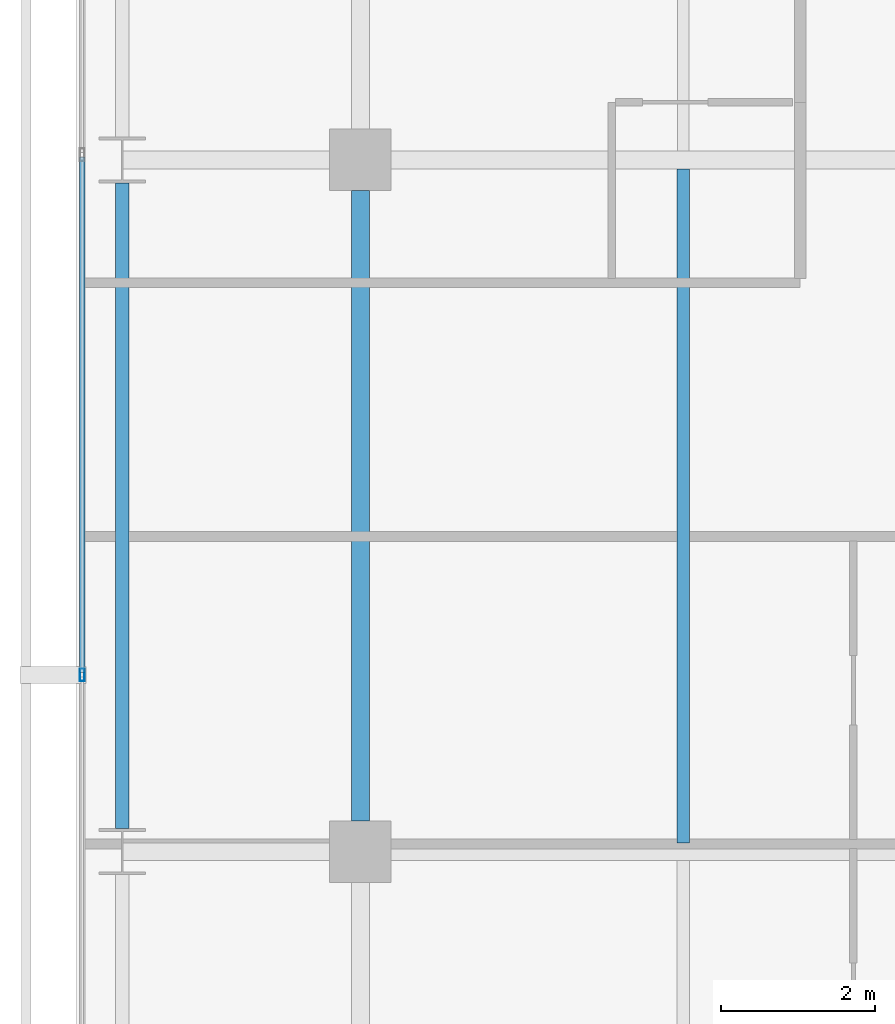
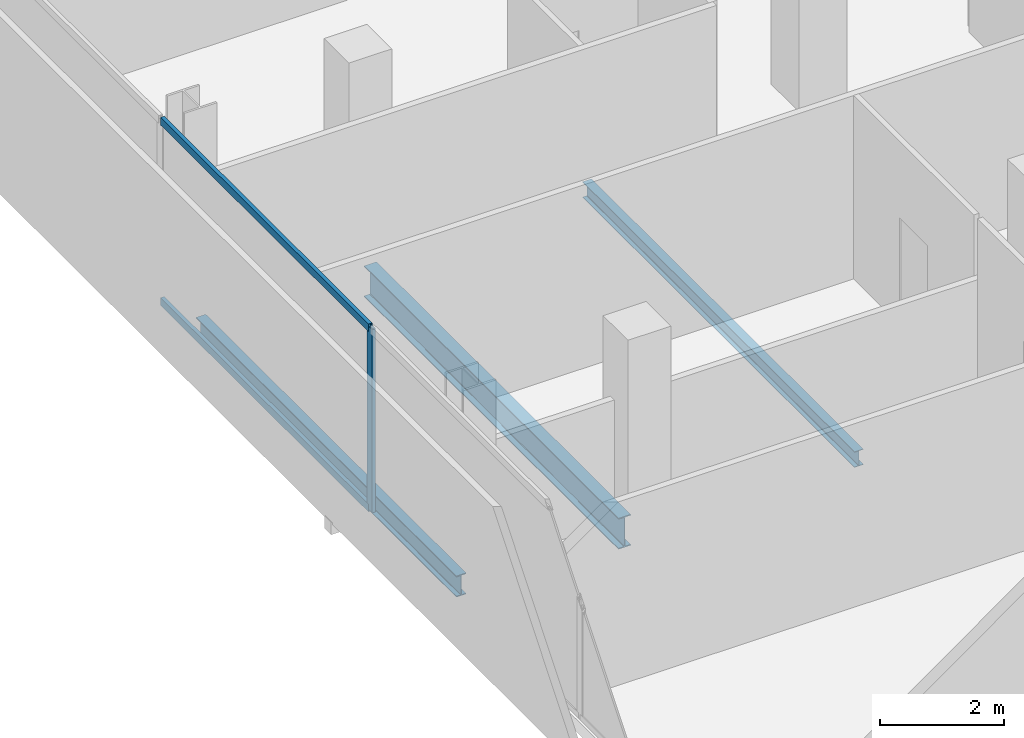
# One storey, part 10 of 34: 3 beams, 3 members, 1 element without a shape of its own.
"""IFC4 building model written with IfcOpenShell, lengths in metres."""

from ifc_helpers import new_model, si_unit, direction, frame, origin, origin_2d, place, context, subcontext, project, spatial, hollow_rectangle, i_section, extrude, material, layer, layer_set, material_profile, profile_set, type_object, element, aggregate, save


model = new_model("IFC4")

# Units and contexts
model_context = context("Model", 3, precision=1e-05, world=origin(), true_north=direction((0.0, 1.0)))
body_context = subcontext(model_context, "Body", "Model", "MODEL_VIEW")
ifc_project = project(units=[si_unit("LENGTHUNIT", "METRE"), si_unit("AREAUNIT", "SQUARE_METRE"), si_unit("VOLUMEUNIT", "CUBIC_METRE"), si_unit("PLANEANGLEUNIT", "RADIAN"), si_unit("MASSUNIT", "GRAM", prefix="KILO")], contexts=[model_context])

# Site, building, storey
site_placement = place(None, origin())
site = spatial("IfcSite", under=ifc_project, at=site_placement, CompositionType="ELEMENT")
building_placement = place(site_placement, origin())
building = spatial("IfcBuilding", under=site, at=building_placement, Name="Maruvema Waterfront Hotel and Observation Tower", CompositionType="ELEMENT")
storey_placement = place(building_placement, frame((0.0, 0.0, 135.10009765625)))
storey = spatial("IfcBuildingStorey", under=building, at=storey_placement, Name="L32", CompositionType="ELEMENT", Elevation=135.10009765625)

# Curtain wall, members
ifc_material_1 = material(Name="Anodised bronze aluminium and solar-control low-E IGU", Category="aluminium")
ifc_layer = layer(ifc_material_1, 0.159912109375, Name="Zone 2 Amber Inner Thermal Curtain Wall System CW-03")
ifc_layer_set = layer_set([ifc_layer], Name="Anodised bronze aluminium and solar-control low-E IGU")
curtain_wall_type = type_object("IfcCurtainWallType", Name="Zone 2 Amber Inner Thermal Curtain Wall System CW-03", PredefinedType="USERDEFINED", material=ifc_layer_set)
curtain_wall_placement = place(storey_placement, origin())
curtain_wall = element("IfcCurtainWall", 1, at=curtain_wall_placement, inside=storey, type_object=curtain_wall_type, Name="L32 Curtain Wall CW-L32-W", ObjectType="UNITISED CURTAIN WALL", PredefinedType="USERDEFINED")
ifc_material_2 = material(Name="Anodised architectural bronze aluminium", Category="aluminium")
ifc_material_profile_1 = material_profile(ifc_material_2, hollow_rectangle(XDim=0.070068359375, YDim=0.14990234375, WallThickness=0.00390625, at=origin_2d()), Name="ALU-T70x150")
ifc_profile_set_1 = profile_set([ifc_material_profile_1], Name="Anodised architectural bronze aluminium")
member_type_1 = type_object("IfcMemberType", Name="Curtain Wall Horizontal Transom ALU-T70x150", PredefinedType="USERDEFINED", material=ifc_profile_set_1)
member_1_placement = place(storey_placement, frame((13.179931640625, 36.03662109375, 0.02978515625), z_axis=(0.0, -1.0, 0.0), x_axis=(1.0, 0.0, 0.0)))
member_1 = element("IfcMember", 2, at=member_1_placement, type_object=member_type_1, Name="CW-03 transom 3.1", ObjectType="TRANSOM", PredefinedType="USERDEFINED", context=body_context, shape_type="SweptSolid", body=[
    extrude(hollow_rectangle(XDim=0.070068359375, YDim=0.14990234375, WallThickness=0.00390625, at=origin_2d()), origin(), (0.0, 0.0, 1.0), 6.70654296875),
])
member_2_placement = place(storey_placement, frame((13.179931640625, 36.03662109375, 3.579833984375), z_axis=(0.0, -1.0, 0.0), x_axis=(1.0, 0.0, 0.0)))
member_2 = element("IfcMember", 3, at=member_2_placement, type_object=member_type_1, Name="CW-03 transom 3.2", ObjectType="TRANSOM", PredefinedType="USERDEFINED", context=body_context, shape_type="SweptSolid", body=[
    extrude(hollow_rectangle(XDim=0.070068359375, YDim=0.14990234375, WallThickness=0.00390625, at=origin_2d()), origin(), (0.0, 0.0, 1.0), 6.70654296875),
])
ifc_material_3 = material(Name="Anodised architectural bronze aluminium", Category="aluminium")
ifc_material_profile_2 = material_profile(ifc_material_3, hollow_rectangle(XDim=0.06494140625, YDim=0.1650390625, WallThickness=0.00390625, at=origin_2d()), Name="ALU-M65x165")
ifc_profile_set_2 = profile_set([ifc_material_profile_2], Name="Anodised architectural bronze aluminium")
member_type_2 = type_object("IfcMemberType", Name="Curtain Wall Primary Mullion ALU-M65x165", PredefinedType="MULLION", material=ifc_profile_set_2)
member_3_placement = place(storey_placement, frame((13.179931640625, 29.300048828125, 0.0), z_axis=(0.0, 0.0, 1.0), x_axis=(1.0, 0.0, 0.0)))
member_3 = element("IfcMember", 4, at=member_3_placement, type_object=member_type_2, Name="CW-03 mullion 4", PredefinedType="MULLION", context=body_context, shape_type="SweptSolid", body=[
    extrude(hollow_rectangle(XDim=0.06494140625, YDim=0.1650390625, WallThickness=0.00390625, at=origin_2d()), origin(), (0.0, 0.0, 1.0), 3.60986328125),
])
aggregate(curtain_wall, [member_3, member_1, member_2])

# Beams
ifc_material_4 = material(Name="Steel ASTM A572 Grade 50", Category="steel")
ifc_material_profile_3 = material_profile(ifc_material_4, i_section(OverallWidth=0.180908203125, OverallDepth=0.4169921875, WebThickness=0.010986328125, FlangeThickness=0.018310546875, FilletRadius=0.014892578125, at=origin_2d()), Name="W410x85.0")
ifc_profile_set_3 = profile_set([ifc_material_profile_3], Name="Steel ASTM A572 Grade 50")
beam_type_1 = type_object("IfcBeamType", Name="Perimeter Spandrel Beam W410x85.0", PredefinedType="SPANDREL", material=ifc_profile_set_3)
beam_1_placement = place(storey_placement, frame((13.699951171875, 27.300048828125, -0.448486328125), z_axis=(0.0, 1.0, 0.0), x_axis=(-1.0, 0.0, 0.0)))
element("IfcBeam", 5, at=beam_1_placement, inside=storey, type_object=beam_type_1, Name="L32 Floor Girder NS-03", PredefinedType="SPANDREL", context=body_context, shape_type="SweptSolid", body=[
    extrude(i_section(OverallWidth=0.180908203125, OverallDepth=0.4169921875, WebThickness=0.010986328125, FlangeThickness=0.018310546875, FilletRadius=0.014892578125, at=origin_2d()), origin(), (0.0, 0.0, 1.0), 8.39990234375),
])
ifc_material_5 = material(Name="Steel ASTM A572 Grade 50", Category="steel")
ifc_material_profile_4 = material_profile(ifc_material_5, i_section(OverallWidth=0.22900390625, OverallDepth=0.612060546875, WebThickness=0.011962890625, FlangeThickness=0.01953125, FilletRadius=0.01806640625, at=origin_2d()), Name="W610x125.0")
ifc_profile_set_4 = profile_set([ifc_material_profile_4], Name="Steel ASTM A572 Grade 50")
beam_type_2 = type_object("IfcBeamType", Name="Primary Floor Girder W610x125.0", PredefinedType="BEAM", material=ifc_profile_set_4)
beam_2_placement = place(storey_placement, frame((16.800048828125, 27.39990234375, -0.546142578125), z_axis=(0.0, 1.0, 0.0), x_axis=(-1.0, 0.0, 0.0)))
element("IfcBeam", 6, at=beam_2_placement, inside=storey, type_object=beam_type_2, Name="L32 Floor Girder NS-07", PredefinedType="BEAM", context=body_context, shape_type="SweptSolid", body=[
    extrude(i_section(OverallWidth=0.22900390625, OverallDepth=0.612060546875, WebThickness=0.011962890625, FlangeThickness=0.01953125, FilletRadius=0.01806640625, at=origin_2d()), origin(), (0.0, 0.0, 1.0), 8.2001953125),
])
ifc_material_6 = material(Name="Steel ASTM A572 Grade 50", Category="steel")
ifc_material_profile_5 = material_profile(ifc_material_6, i_section(OverallWidth=0.1650390625, OverallDepth=0.31005859375, WebThickness=0.005859375, FlangeThickness=0.009765625, FilletRadius=0.012939453125, at=origin_2d()), Name="W310x38.7")
ifc_profile_set_5 = profile_set([ifc_material_profile_5], Name="Steel ASTM A572 Grade 50")
beam_type_3 = type_object("IfcBeamType", Name="Secondary Floor Joist W310x38.7", PredefinedType="JOIST", material=ifc_profile_set_5)
beam_3_placement = place(storey_placement, frame((21.0, 27.114501953125, -0.39501953125), z_axis=(0.0, 1.0, 0.0), x_axis=(-1.0, 0.0, 0.0)))
element("IfcBeam", 7, at=beam_3_placement, inside=storey, type_object=beam_type_3, Name="L32 Secondary Floor Joist JS-03", PredefinedType="JOIST", context=body_context, shape_type="SweptSolid", body=[
    extrude(i_section(OverallWidth=0.1650390625, OverallDepth=0.31005859375, WebThickness=0.005859375, FlangeThickness=0.009765625, FilletRadius=0.012939453125, at=origin_2d()), origin(), (0.0, 0.0, 1.0), 8.77099609375),
])

save(model, "model.ifc")
